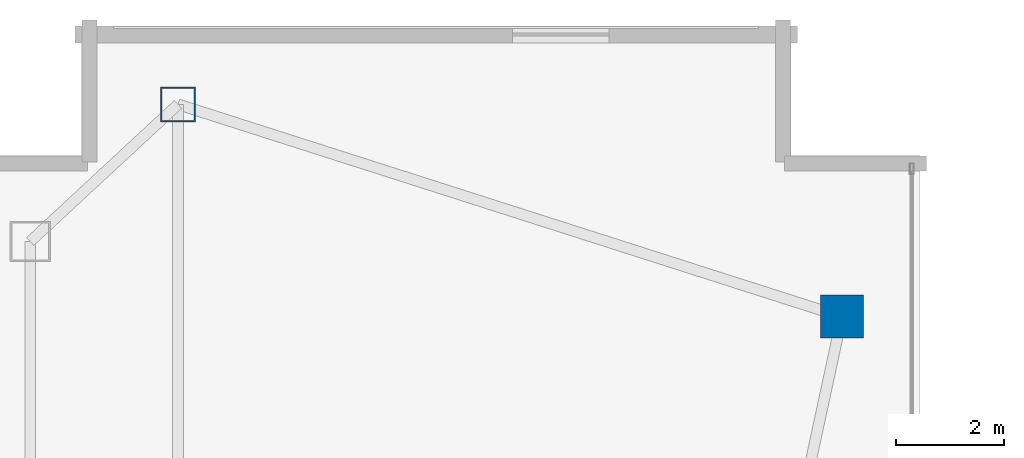
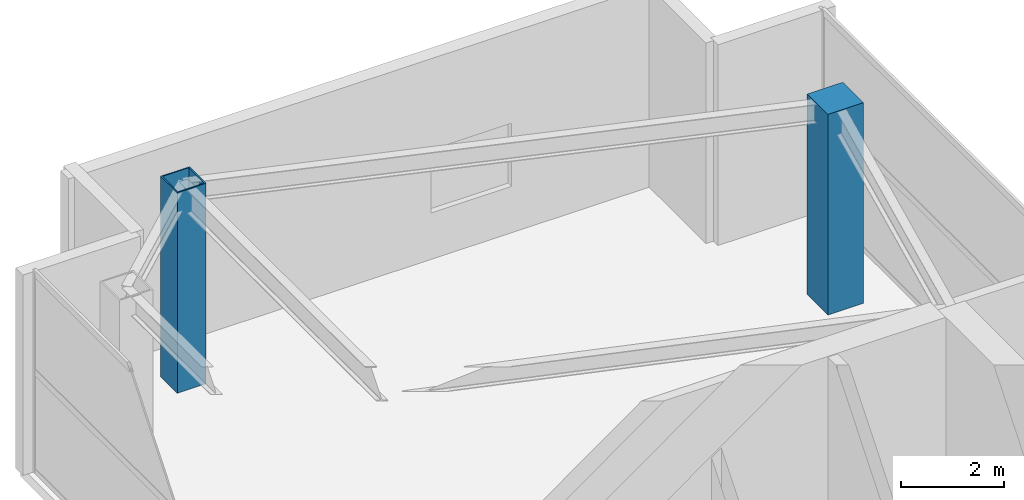
# One storey, part 2 of 21: 2 columns.
"""IFC4 building model written with IfcOpenShell, lengths in metres."""

from ifc_helpers import new_model, si_unit, direction, frame, origin, origin_2d, place, context, subcontext, project, spatial, rectangle, hollow_rectangle, extrude, material, material_profile, profile_set, type_object, element, save


model = new_model("IFC4")

# Units and contexts
model_context = context("Model", 3, precision=1e-05, world=origin(), true_north=direction((0.0, 1.0)))
body_context = subcontext(model_context, "Body", "Model", "MODEL_VIEW")
ifc_project = project(units=[si_unit("LENGTHUNIT", "METRE"), si_unit("AREAUNIT", "SQUARE_METRE"), si_unit("VOLUMEUNIT", "CUBIC_METRE"), si_unit("PLANEANGLEUNIT", "RADIAN"), si_unit("MASSUNIT", "GRAM", prefix="KILO")], contexts=[model_context])

# Site, building, storey
site_placement = place(None, origin())
site = spatial("IfcSite", under=ifc_project, at=site_placement, CompositionType="ELEMENT")
building_placement = place(site_placement, origin())
building = spatial("IfcBuilding", under=site, at=building_placement, Name="Calvorn Quay Hotel", CompositionType="ELEMENT")
storey_placement = place(building_placement, frame((0.0, 0.0, 330.5)))
storey = spatial("IfcBuildingStorey", under=building, at=storey_placement, Name="L81", CompositionType="ELEMENT", Elevation=330.5)

# Columns
ifc_material_1 = material(Name="Concrete C45", Category="concrete")
ifc_material_profile_1 = material_profile(ifc_material_1, rectangle(XDim=0.800048828125, YDim=0.800048828125, at=origin_2d()), Name="RC800x800")
ifc_profile_set_1 = profile_set([ifc_material_profile_1], Name="Concrete C45")
column_type_1 = type_object("IfcColumnType", Name="COL-RC-800", PredefinedType="COLUMN", material=ifc_profile_set_1)
column_1_placement = place(storey_placement, frame((16.550048828125, 45.60009765625, 0.0), z_axis=(0.0, 0.0, 1.0), x_axis=(1.0, 0.0, 0.0)))
element("IfcColumn", 1, at=column_1_placement, inside=storey, type_object=column_type_1, Name="Column C-IC1 (L81)", PredefinedType="COLUMN", context=body_context, shape_type="SweptSolid", body=[
    extrude(rectangle(XDim=0.800048828125, YDim=0.800048828125, at=origin_2d()), origin(), (0.0, 0.0, 1.0), 4.760009765625),
])
ifc_material_2 = material(Name="Steel Q355B", Category="steel")
ifc_material_profile_2 = material_profile(ifc_material_2, hollow_rectangle(XDim=0.64990234375, YDim=0.64990234375, WallThickness=0.028076171875, at=origin_2d()), Name="BOX650x650x28")
ifc_profile_set_2 = profile_set([ifc_material_profile_2], Name="Steel Q355B")
column_type_2 = type_object("IfcColumnType", Name="COL-STL-Z4", PredefinedType="COLUMN", material=ifc_profile_set_2)
column_2_placement = place(storey_placement, frame((4.199951171875, 49.550048828125, 0.0), z_axis=(0.0, 0.0, 1.0), x_axis=(1.0, 0.0, 0.0)))
element("IfcColumn", 2, at=column_2_placement, inside=storey, type_object=column_type_2, Name="Column C-NW1 (L81)", PredefinedType="COLUMN", context=body_context, shape_type="SweptSolid", body=[
    extrude(hollow_rectangle(XDim=0.64990234375, YDim=0.64990234375, WallThickness=0.028076171875, at=origin_2d()), origin(), (0.0, 0.0, 1.0), 4.760009765625),
])

save(model, "model.ifc")
